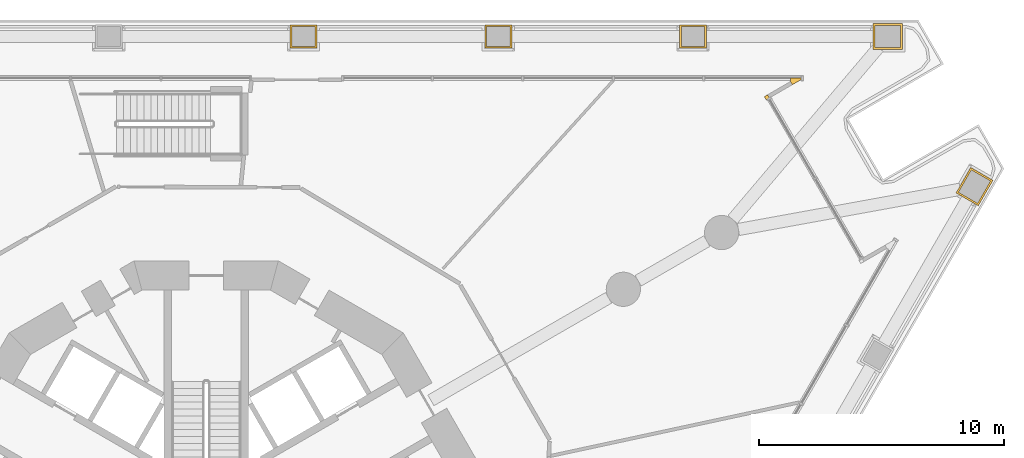
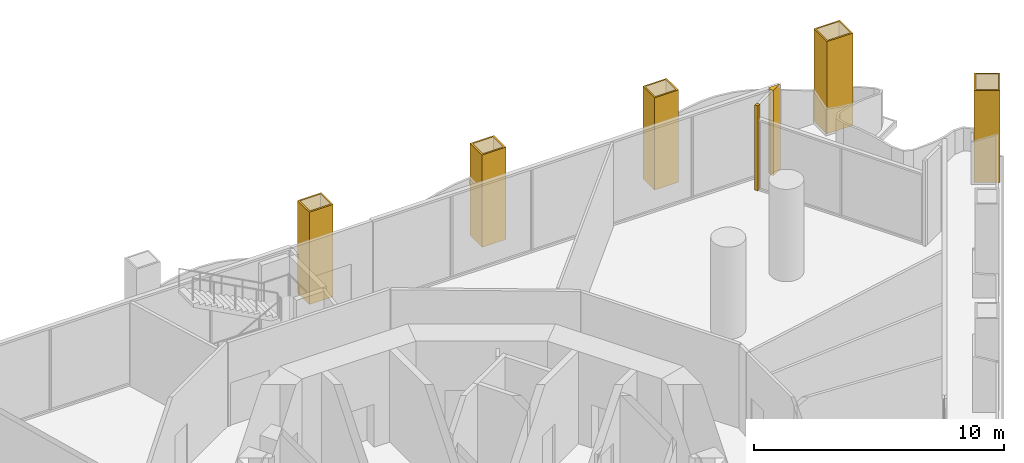
# One storey, part 22 of 22: 7 coverings.
"""IFC4 building model written with IfcOpenShell, lengths in metres."""

import ifcopenshell
import ifcopenshell.guid

model = None  # the IFC model being written
_history = None  # IfcOwnerHistory: only IFC2X3 demands one
_inside = {}  # id of a spatial element -> (the spatial element, [elements in it])
_under = {}  # id of a project, library or spatial element -> (it, [spatial elements below it])
_declared = {}  # id of a project -> (the project, [libraries it declares])
_typed = {}  # id of a type object -> (the type object, [elements of that type])
_made_of = {}  # id of a material, layer set ... -> (it, [elements and type objects made of it])


def new_model(schema):
    """Start an empty IFC model of exactly this schema.

    Asked for "IFC4X3", IfcOpenShell would pick the latest addendum, in which some entities
    have other attributes; the version numbers below select the first issue.
    IFC2X3 requires an IfcOwnerHistory on every rooted entity: one is made here for all.
    """
    global model, _history
    if schema == "IFC4X3":
        model = ifcopenshell.file(schema_version=(4, 3, 0, 0))
    else:
        model = ifcopenshell.file(schema=schema)
    _inside.clear()
    _under.clear()
    _declared.clear()
    _typed.clear()
    _made_of.clear()
    _history = None
    if model.schema == "IFC2X3":
        org = make("IfcOrganization", Name="unknown")
        user = make(
            "IfcPersonAndOrganization",
            ThePerson=make("IfcPerson", FamilyName="unknown"),
            TheOrganization=org,
        )
        app = make(
            "IfcApplication",
            ApplicationDeveloper=org,
            Version="unknown",
            ApplicationFullName="unknown",
            ApplicationIdentifier="unknown",
        )
        _history = make(
            "IfcOwnerHistory",
            OwningUser=user,
            OwningApplication=app,
            ChangeAction="ADDED",
            CreationDate=0,
        )
    return model


def make(cls, **values):
    """One entity of the class cls with the attributes given. An attribute that is None is left unset."""
    return model.create_entity(
        cls, **{name: value for name, value in values.items() if value is not None}
    )


def rooted(cls, **values):
    """An entity with a GlobalId (a new one), such as an element, a storey or a relation."""
    return make(cls, GlobalId=ifcopenshell.guid.new(), OwnerHistory=_history, **values)


def si_unit(unit_type, name, prefix=None):
    """IfcSIUnit, for example si_unit("LENGTHUNIT", "METRE", prefix="MILLI")."""
    return make("IfcSIUnit", UnitType=unit_type, Prefix=prefix, Name=name)


def assignment(units):
    """IfcUnitAssignment: the units of a project."""
    return None if units is None else make("IfcUnitAssignment", Units=units)


def point(xyz):
    """IfcCartesianPoint."""
    return None if xyz is None else make("IfcCartesianPoint", Coordinates=xyz)


def direction(xyz):
    """IfcDirection."""
    return None if xyz is None else make("IfcDirection", DirectionRatios=xyz)


def frame(location, z_axis=None, x_axis=None):
    """IfcAxis2Placement3D, a coordinate frame: its origin and axes. An axis left out is left unset."""
    return make(
        "IfcAxis2Placement3D",
        Location=point(location),
        Axis=direction(z_axis),
        RefDirection=direction(x_axis),
    )


def origin():
    """The frame at (0, 0, 0) with its axes left unset."""
    return frame((0.0, 0.0, 0.0))


def place(relative_to, where):
    """IfcLocalPlacement: puts the frame where relative to a parent placement (None: the world)."""
    return make(
        "IfcLocalPlacement", PlacementRelTo=relative_to, RelativePlacement=where
    )


def context(
    kind, dimensions, precision=None, world=None, true_north=None, identifier=None
):
    """IfcGeometricRepresentationContext, for example the 3D "Model" context."""
    return make(
        "IfcGeometricRepresentationContext",
        ContextIdentifier=identifier,
        ContextType=kind,
        CoordinateSpaceDimension=dimensions,
        Precision=precision,
        WorldCoordinateSystem=world,
        TrueNorth=true_north,
    )


def subcontext(parent, identifier, kind, view, scale=None):
    """IfcGeometricRepresentationSubContext, for example "Body" below "Model"."""
    return make(
        "IfcGeometricRepresentationSubContext",
        ContextIdentifier=identifier,
        ContextType=kind,
        ParentContext=parent,
        TargetScale=scale,
        TargetView=view,
    )


def project(units=None, contexts=None):
    """IfcProject with its units and contexts."""
    return rooted(
        "IfcProject",
        Name="project",
        RepresentationContexts=contexts,
        UnitsInContext=assignment(units),
    )


def spatial(cls, under=None, at=None, **own):
    """A site, building, storey or space (cls), placed at a placement, below another one or the project."""
    s = rooted(cls, ObjectPlacement=at, **own)
    if under is not None:
        _under.setdefault(under.id(), (under, []))[1].append(s)
    return s


def polyline(points):
    """IfcPolyline through the points."""
    return make("IfcPolyline", Points=[point(p) for p in points])


def outline(outer, holes=None, kind="AREA"):
    """IfcArbitraryClosedProfileDef: a profile drawn as a closed curve; with holes, ...WithVoids."""
    if holes is None:
        return make("IfcArbitraryClosedProfileDef", ProfileType=kind, OuterCurve=outer)
    return make(
        "IfcArbitraryProfileDefWithVoids",
        ProfileType=kind,
        OuterCurve=outer,
        InnerCurves=holes,
    )


def extrude(swept, where, along, depth):
    """IfcExtrudedAreaSolid: the profile swept, set in the frame where, extruded along a direction by depth."""
    return make(
        "IfcExtrudedAreaSolid",
        SweptArea=swept,
        Position=where,
        ExtrudedDirection=direction(along),
        Depth=depth,
    )


def shape(context_of_items, identifier, shape_type, items):
    """IfcShapeRepresentation: the items that make up one representation, for example the "Body"."""
    return make(
        "IfcShapeRepresentation",
        ContextOfItems=context_of_items,
        RepresentationIdentifier=identifier,
        RepresentationType=shape_type,
        Items=items,
    )


def material(Name=None, Category=None):
    """IfcMaterial."""
    return make("IfcMaterial", Name=Name, Category=Category)


def layer(
    of_material, thickness, ventilated=None, Name=None, Category=None, Priority=None
):
    """IfcMaterialLayer: one layer of a wall or slab, of a material (None: an air gap)."""
    return make(
        "IfcMaterialLayer",
        Material=of_material,
        LayerThickness=thickness,
        IsVentilated=ventilated,
        Name=Name,
        Category=Category,
        Priority=Priority,
    )


def layer_set(layers, Name=None):
    """IfcMaterialLayerSet."""
    return make("IfcMaterialLayerSet", MaterialLayers=layers, LayerSetName=Name)


def made_of(thing, what):
    """Note that an element or type object is made of a material, layer set ...; save() writes the relation."""
    if what is not None:
        _made_of.setdefault(what.id(), (what, []))[1].append(thing)
    return thing


def type_object(cls, material=None, **own):
    """A type object (cls), such as IfcWallType, which elements share."""
    return made_of(rooted(cls, **own), material)


def element(
    cls,
    number,
    at=None,
    inside=None,
    cuts=None,
    type_object=None,
    material=None,
    context=None,
    identifier="Body",
    shape_type=None,
    held_by="IfcProductDefinitionShape",
    body=None,
    shapes=None,
    **own,
):
    """One element of the class cls, such as IfcWall. Its Tag is "e" and its number.

    at: its placement. inside: the storey or other place that contains it. cuts: it is an
    opening in that element (IfcRelVoidsElement). A single representation is given by context,
    identifier, shape_type and body (its items); several are given by shapes. held_by: the class
    of the entity that holds the representations. save() writes the other relations.
    """
    e = rooted(cls, Tag="e%d" % number, ObjectPlacement=at, **own)
    if body is not None:
        shapes = [shape(context, identifier, shape_type, body)]
    if shapes is not None:
        e.Representation = make(held_by, Representations=shapes)
    if inside is not None:
        _inside.setdefault(inside.id(), (inside, []))[1].append(e)
    if cuts is not None:
        rooted(
            "IfcRelVoidsElement", RelatingBuildingElement=cuts, RelatedOpeningElement=e
        )
    if type_object is not None:
        _typed.setdefault(type_object.id(), (type_object, []))[1].append(e)
    return made_of(e, material)


def aggregate(whole, parts):
    """IfcRelAggregates: a whole, such as a stair, and the parts it consists of."""
    return rooted("IfcRelAggregates", RelatingObject=whole, RelatedObjects=parts)


def save(model, path):
    """Write the relations noted so far, then the file.

    IfcRelAggregates (storeys below a building ...), IfcRelContainedInSpatialStructure (elements
    in a storey), IfcRelDefinesByType, IfcRelAssociatesMaterial and IfcRelDeclares: one each for
    every whole, place, type object, material and project.
    """
    for whole, parts in _under.values():
        aggregate(whole, parts)
    for where, things in _inside.values():
        rooted(
            "IfcRelContainedInSpatialStructure",
            RelatedElements=things,
            RelatingStructure=where,
        )
    for kind, things in _typed.values():
        rooted("IfcRelDefinesByType", RelatedObjects=things, RelatingType=kind)
    for what, things in _made_of.values():
        rooted("IfcRelAssociatesMaterial", RelatedObjects=things, RelatingMaterial=what)
    for by, libraries in _declared.values():
        rooted("IfcRelDeclares", RelatingContext=by, RelatedDefinitions=libraries)
    model.write(path)


model = new_model("IFC4")

# Units and contexts
model_context = context("Model", 3, precision=1e-05, world=origin(), true_north=direction((0.0, 1.0)))
body_context = subcontext(model_context, "Body", "Model", "MODEL_VIEW")
ifc_project = project(units=[si_unit("LENGTHUNIT", "METRE"), si_unit("AREAUNIT", "SQUARE_METRE"), si_unit("VOLUMEUNIT", "CUBIC_METRE"), si_unit("PLANEANGLEUNIT", "RADIAN"), si_unit("MASSUNIT", "GRAM", prefix="KILO")], contexts=[model_context])

# Site, building, storey
site_placement = place(None, origin())
site = spatial("IfcSite", under=ifc_project, at=site_placement, CompositionType="ELEMENT")
building_placement = place(site_placement, origin())
building = spatial("IfcBuilding", under=site, at=building_placement, Name="Trine Commons Tower", CompositionType="ELEMENT")
storey_placement = place(building_placement, frame((0.0, 0.0, 22.5)))
storey = spatial("IfcBuildingStorey", under=building, at=storey_placement, Name="L04", CompositionType="ELEMENT", Elevation=22.5)

# Coverings
ifc_material_1 = material(Name="Aluminium-framed insulated wall panel", Category="aluminium")
ifc_layer_1 = layer(ifc_material_1, 0.14990234375)
ifc_layer_set_1 = layer_set([ifc_layer_1], Name="Aluminium-framed insulated wall panel")
covering_type_1 = type_object("IfcCoveringType", Name="Glazing corner post, aluminium", PredefinedType="CLADDING", material=ifc_layer_set_1)
covering_1_placement = place(storey_placement, origin())
element("IfcCovering", 1, at=covering_1_placement, inside=storey, type_object=covering_type_1, Name="Glazing corner post 1-05", PredefinedType="CLADDING", context=body_context, shape_type="SweptSolid", body=[
    extrude(outline(polyline([(103.96875, 80.714599609375), (104.45361328125, 80.99462890625), (103.893798828125, 80.99462890625), (103.893798828125, 80.844482421875), (103.96875, 80.714599609375)])), origin(), (0.0, 0.0, 1.0), 4.14990234375),
])
covering_2_placement = place(storey_placement, origin())
element("IfcCovering", 2, at=covering_2_placement, inside=storey, type_object=covering_type_1, Name="Glazing corner post 1-06", PredefinedType="CLADDING", context=body_context, shape_type="SweptSolid", body=[
    extrude(outline(polyline([(102.898681640625, 80.0966796875), (103.028564453125, 80.171875), (102.95361328125, 80.3017578125), (102.823486328125, 80.226806640625), (102.898681640625, 80.0966796875)])), origin(), (0.0, 0.0, 1.0), 4.14990234375),
])
ifc_material_2 = material(Name="Limestone, honed", Category="masonry")
ifc_layer_2 = layer(ifc_material_2, 0.074951171875)
ifc_layer_set_2 = layer_set([ifc_layer_2], Name="Limestone, honed")
covering_type_2 = type_object("IfcCoveringType", Name="Limestone column cladding 75", PredefinedType="CLADDING", material=ifc_layer_set_2)
covering_3_placement = place(storey_placement, origin())
element("IfcCovering", 3, at=covering_3_placement, inside=storey, type_object=covering_type_2, Name="Limestone pier cladding 1-13", PredefinedType="CLADDING", context=body_context, shape_type="SweptSolid", body=[
    extrude(outline(polyline([(84.53173828125, 82.209716796875), (84.53173828125, 83.15966796875), (83.431640625, 83.15966796875), (83.431640625, 82.209716796875), (84.53173828125, 82.209716796875)]), holes=[polyline([(84.456787109375, 82.28466796875), (84.456787109375, 83.084716796875), (83.506591796875, 83.084716796875), (83.506591796875, 82.28466796875), (84.456787109375, 82.28466796875)])]), origin(), (0.0, 0.0, 1.0), 4.5),
])
covering_4_placement = place(storey_placement, origin())
element("IfcCovering", 4, at=covering_4_placement, inside=storey, type_object=covering_type_2, Name="Limestone pier cladding 1-14", PredefinedType="CLADDING", context=body_context, shape_type="SweptSolid", body=[
    extrude(outline(polyline([(92.4951171875, 82.209716796875), (92.4951171875, 83.15966796875), (91.39501953125, 83.15966796875), (91.39501953125, 82.209716796875), (92.4951171875, 82.209716796875)]), holes=[polyline([(92.420166015625, 82.28466796875), (92.420166015625, 83.084716796875), (91.47021484375, 83.084716796875), (91.47021484375, 82.28466796875), (92.420166015625, 82.28466796875)])]), origin(), (0.0, 0.0, 1.0), 4.5),
])
covering_5_placement = place(storey_placement, origin())
element("IfcCovering", 5, at=covering_5_placement, inside=storey, type_object=covering_type_2, Name="Limestone pier cladding 1-15", PredefinedType="CLADDING", context=body_context, shape_type="SweptSolid", body=[
    extrude(outline(polyline([(100.45849609375, 82.209716796875), (100.45849609375, 83.15966796875), (99.3583984375, 83.15966796875), (99.3583984375, 82.209716796875), (100.45849609375, 82.209716796875)]), holes=[polyline([(100.38330078125, 82.28466796875), (100.38330078125, 83.084716796875), (99.433349609375, 83.084716796875), (99.433349609375, 82.28466796875), (100.38330078125, 82.28466796875)])]), origin(), (0.0, 0.0, 1.0), 4.5),
])
covering_6_placement = place(storey_placement, origin())
element("IfcCovering", 6, at=covering_6_placement, inside=storey, type_object=covering_type_2, Name="Limestone pier cladding 1-16", PredefinedType="CLADDING", context=body_context, shape_type="SweptSolid", body=[
    extrude(outline(polyline([(108.4716796875, 82.15966796875), (108.4716796875, 83.209716796875), (107.271728515625, 83.209716796875), (107.271728515625, 82.15966796875), (108.4716796875, 82.15966796875)]), holes=[polyline([(108.396728515625, 82.234619140625), (108.396728515625, 83.134521484375), (107.3466796875, 83.134521484375), (107.3466796875, 82.234619140625), (108.396728515625, 82.234619140625)])]), origin(), (0.0, 0.0, 1.0), 4.5),
])
covering_7_placement = place(storey_placement, origin())
element("IfcCovering", 7, at=covering_7_placement, inside=storey, type_object=covering_type_2, Name="Limestone pier cladding 1-17", PredefinedType="CLADDING", context=body_context, shape_type="SweptSolid", body=[
    extrude(outline(polyline([(112.1708984375, 76.802490234375), (111.26171875, 77.327392578125), (110.66162109375, 76.288330078125), (111.571044921875, 75.76318359375), (112.1708984375, 76.802490234375)]), holes=[polyline([(112.068603515625, 76.775146484375), (111.2890625, 77.22509765625), (110.76416015625, 76.315673828125), (111.54345703125, 75.86572265625), (112.068603515625, 76.775146484375)])]), origin(), (0.0, 0.0, 1.0), 4.5),
])

save(model, "model.ifc")
